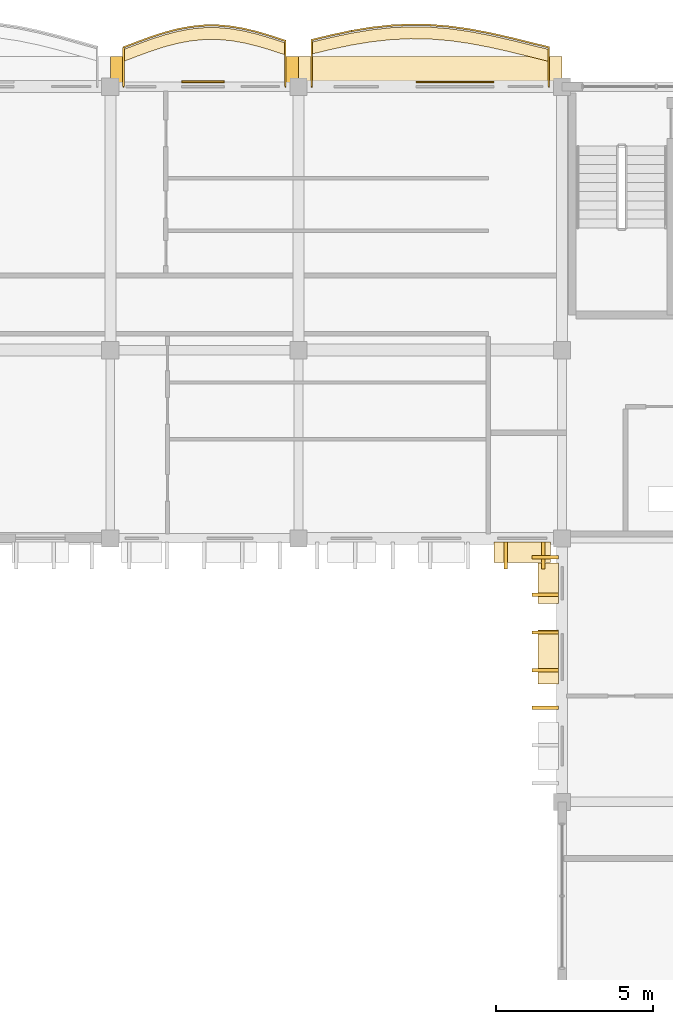
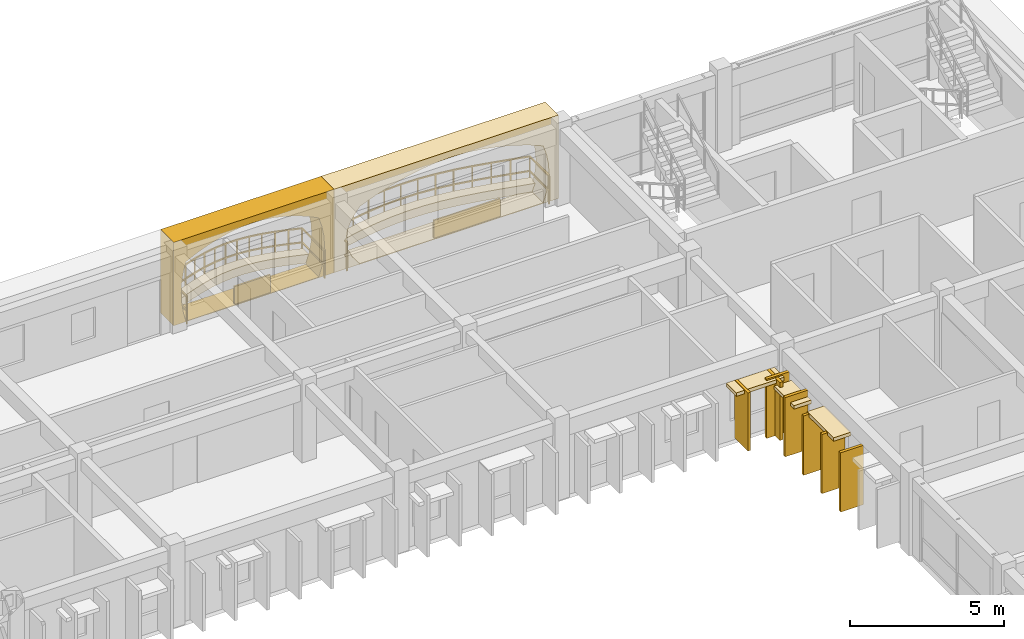
# One storey, part 53 of 54: 16 coverings, 2 railings.
"""IFC4 building model written with IfcOpenShell, lengths in metres."""

from ifc_helpers import new_model, si_unit, direction, frame, origin, origin_2d, place, context, subcontext, project, spatial, polyline, rectangle, outline, extrude, material, layer, layer_set, type_object, element, save


model = new_model("IFC4")

# Units and contexts
model_context = context("Model", 3, precision=1e-05, world=origin(), true_north=direction((0.0, 1.0)))
body_context = subcontext(model_context, "Body", "Model", "MODEL_VIEW")
ifc_project = project(units=[si_unit("LENGTHUNIT", "METRE"), si_unit("AREAUNIT", "SQUARE_METRE"), si_unit("VOLUMEUNIT", "CUBIC_METRE"), si_unit("PLANEANGLEUNIT", "RADIAN"), si_unit("MASSUNIT", "GRAM", prefix="KILO"), si_unit("THERMODYNAMICTEMPERATUREUNIT", "KELVIN")], contexts=[model_context])

# Site, building, storey
site_placement = place(None, origin())
site = spatial("IfcSite", under=ifc_project, at=site_placement, CompositionType="ELEMENT")
building_placement = place(site_placement, origin())
building = spatial("IfcBuilding", under=site, at=building_placement, Name="Thalorik Housing Commons", CompositionType="ELEMENT")
storey_placement = place(building_placement, frame((0.0, 0.0, 31.199951171875)))
storey = spatial("IfcBuildingStorey", under=building, at=storey_placement, Name="L09", CompositionType="ELEMENT", Elevation=31.199951171875)

# Coverings
ifc_material_1 = material(Name="Cobalt blue glazed ceramic facade tile panel", Category="masonry")
ifc_layer_1 = layer(ifc_material_1, 0.06005859375, Name="Cobalt blue glazed ceramic facade tile panel", Category="masonry")
ifc_layer_set_1 = layer_set([ifc_layer_1], Name="Cobalt blue glazed ceramic facade tile panel")
covering_type_1 = type_object("IfcCoveringType", Name="ARC-CLD-BLU-60", PredefinedType="CLADDING", material=ifc_layer_set_1)
covering_1_placement = place(storey_placement, frame((140.94970703125, 123.75244140625, 0.05029296875), z_axis=(0.0, 0.0, 1.0), x_axis=(-1.0, 0.0, 0.0)))
element("IfcCovering", 1, at=covering_1_placement, inside=storey, type_object=covering_type_1, Name="L09 De Stijl Recessed Window Spandrel 2895", PredefinedType="CLADDING", context=body_context, shape_type="SweptSolid", body=[
    extrude(rectangle(XDim=1.35009765625, YDim=0.06005859375, at=origin_2d()), origin(), (0.0, 0.0, 1.0), 0.699951171875),
])
ifc_material_2 = material(Name="Precast concrete C40/50", Category="concrete")
ifc_layer_2 = layer(ifc_material_2, 0.85009765625, Name="Precast concrete C40/50", Category="concrete")
ifc_layer_set_2 = layer_set([ifc_layer_2], Name="Precast concrete C40/50")
covering_type_2 = type_object("IfcCoveringType", Name="ARC-CLD-CUSH-850", PredefinedType="CLADDING", material=ifc_layer_set_2)
covering_2_placement = place(storey_placement, frame((148.199951171875, 124.142578125, 0.0), z_axis=(0.0, 0.0, 1.0), x_axis=(-1.0, 0.0, 0.0)))
element("IfcCovering", 2, at=covering_2_placement, inside=storey, type_object=covering_type_2, Name="L09 White Precast Curved Cushion Bay Frame 2892", PredefinedType="CLADDING", context=body_context, shape_type="SweptSolid", body=[
    extrude(outline(polyline([(-4.199951171875, 0.0), (4.199951171875, 0.0), (4.199951171875, 3.300048828125), (-4.199951171875, 3.300048828125), (-4.199951171875, 0.0)]), holes=[polyline([(3.239990234375, 0.02490234375), (3.523193359375, 0.40087890625), (3.693359375, 0.776611328125), (3.75, 1.152587890625), (3.693359375, 1.5283203125), (3.523193359375, 1.904296875), (3.239990234375, 2.280029296875), (2.66748046875, 2.51123046875), (2.094970703125, 2.693115234375), (1.5224609375, 2.840087890625), (0.949951171875, 2.94970703125), (0.37744140625, 3.01708984375), (-0.195068359375, 3.0400390625), (-0.767578125, 3.01708984375), (-1.340087890625, 2.94970703125), (-1.91259765625, 2.840087890625), (-2.485107421875, 2.693115234375), (-3.0576171875, 2.51123046875), (-3.6298828125, 2.280029296875), (-3.750244140625, 1.904296875), (-3.822509765625, 1.5283203125), (-3.8466796875, 1.152587890625), (-3.822509765625, 0.776611328125), (-3.750244140625, 0.40087890625), (-3.6298828125, 0.02490234375), (3.239990234375, 0.02490234375)])]), frame((0.0, 0.425048828125, 0.0), z_axis=(0.0, -1.0, 0.0), x_axis=(1.0, 0.0, 0.0)), (0.0, 0.0, 1.0), 0.85009765625),
])
covering_3_placement = place(storey_placement, frame((141.0, 124.142578125, 0.0), z_axis=(0.0, 0.0, 1.0), x_axis=(-1.0, 0.0, 0.0)))
element("IfcCovering", 3, at=covering_3_placement, inside=storey, type_object=covering_type_2, Name="L09 White Precast Curved Cushion Bay Frame 2894", PredefinedType="CLADDING", context=body_context, shape_type="SweptSolid", body=[
    extrude(outline(polyline([(-3.0, 0.0), (3.0, 0.0), (3.0, 3.300048828125), (-3.0, 3.300048828125), (-3.0, 0.0)]), holes=[polyline([(2.545166015625, 0.02490234375), (2.64111328125, 0.415771484375), (2.69873046875, 0.806640625), (2.718017578125, 1.197509765625), (2.69873046875, 1.58837890625), (2.64111328125, 1.979248046875), (2.545166015625, 2.3701171875), (2.130615234375, 2.573974609375), (1.716064453125, 2.734130859375), (1.301513671875, 2.864013671875), (0.88671875, 2.960205078125), (0.47216796875, 3.02001953125), (0.0576171875, 3.0400390625), (-0.35693359375, 3.02001953125), (-0.771484375, 2.960205078125), (-1.186279296875, 2.864013671875), (-1.600830078125, 2.734130859375), (-2.015380859375, 2.573974609375), (-2.429931640625, 2.3701171875), (-2.55029296875, 1.979248046875), (-2.62255859375, 1.58837890625), (-2.646484375, 1.197509765625), (-2.62255859375, 0.806640625), (-2.55029296875, 0.415771484375), (-2.429931640625, 0.02490234375), (2.545166015625, 0.02490234375)])]), frame((0.0, 0.425048828125, 0.0), z_axis=(0.0, -1.0, 0.0), x_axis=(1.0, 0.0, 0.0)), (0.0, 0.0, 1.0), 0.85009765625),
])
ifc_layer_3 = layer(ifc_material_2, 0.85009765625, Name="Precast concrete C40/50", Category="concrete")
ifc_layer_set_3 = layer_set([ifc_layer_3], Name="Precast concrete C40/50")
covering_type_3 = type_object("IfcCoveringType", Name="ARC-CLD-FIN-850", PredefinedType="CLADDING", material=ifc_layer_set_3)
for number, where, z_axis, x_axis, name in (
    (4, (150.60009765625, 108.657470703125, 0.0400390625), (0.0, 0.0, 1.0), (1.0, 0.0, 0.0), "L09 Courtyard Precast Vertical Brise-Soleil Fin 2991"),
    (5, (151.800048828125, 108.657470703125, 0.0400390625), (0.0, 0.0, 1.0), (1.0, 0.0, 0.0), "L09 Courtyard Precast Vertical Brise-Soleil Fin 2992"),
):
    element("IfcCovering", number, at=place(storey_placement, frame(where, z_axis=z_axis, x_axis=x_axis)), inside=storey, type_object=covering_type_3, Name=name, PredefinedType="CLADDING", context=body_context, shape_type="SweptSolid", body=[
        extrude(rectangle(XDim=0.110107421875, YDim=0.85009765625, at=origin_2d()), origin(), (0.0, 0.0, 1.0), 2.294921875),
    ])
for number, where, z_axis, x_axis, name in (
    (6, (151.857421875, 108.60009765625, 0.0400390625), (0.0, 0.0, 1.0), (0.0, -1.0, 0.0), "L09 Courtyard Precast Vertical Brise-Soleil Fin 2996"),
    (7, (151.857421875, 107.39990234375, 0.0400390625), (0.0, 0.0, 1.0), (0.0, -1.0, 0.0), "L09 Courtyard Precast Vertical Brise-Soleil Fin 2997"),
    (8, (151.857421875, 106.199951171875, 0.0400390625), (0.0, 0.0, 1.0), (0.0, -1.0, 0.0), "L09 Courtyard Precast Vertical Brise-Soleil Fin 2998"),
    (9, (151.857421875, 105.0, 0.0400390625), (0.0, 0.0, 1.0), (0.0, -1.0, 0.0), "L09 Courtyard Precast Vertical Brise-Soleil Fin 2999"),
    (10, (151.857421875, 103.800048828125, 0.0400390625), (0.0, 0.0, 1.0), (0.0, -1.0, 0.0), "L09 Courtyard Precast Vertical Brise-Soleil Fin 3000"),
):
    element("IfcCovering", number, at=place(storey_placement, frame(where, z_axis=z_axis, x_axis=x_axis)), inside=storey, type_object=covering_type_3, Name=name, PredefinedType="CLADDING", context=body_context, shape_type="SweptSolid", body=[
        extrude(rectangle(XDim=0.110107421875, YDim=0.85009765625, at=origin_2d()), origin(), (0.0, 0.0, 1.0), 2.344970703125),
    ])
ifc_layer_4 = layer(ifc_material_2, 0.64990234375, Name="Precast concrete C40/50", Category="concrete")
ifc_layer_set_4 = layer_set([ifc_layer_4], Name="Precast concrete C40/50")
covering_type_4 = type_object("IfcCoveringType", Name="ARC-CLD-HOOD-650", PredefinedType="CLADDING", material=ifc_layer_set_4)
covering_4_placement = place(storey_placement, frame((151.1298828125, 108.757568359375, 2.18994140625), z_axis=(0.0, 0.0, 1.0), x_axis=(1.0, 0.0, 0.0)))
element("IfcCovering", 11, at=covering_4_placement, inside=storey, type_object=covering_type_4, Name="L09 Courtyard Precast Window Sun-Hood 2995", PredefinedType="CLADDING", context=body_context, shape_type="SweptSolid", body=[
    extrude(rectangle(XDim=1.7900390625, YDim=0.64990234375, at=origin_2d()), origin(), (0.0, 0.0, 1.0), 0.139892578125),
])
covering_5_placement = place(storey_placement, frame((151.95751953125, 107.764892578125, 1.990234375), z_axis=(0.0, 0.0, 1.0), x_axis=(0.0, -1.0, 0.0)))
element("IfcCovering", 12, at=covering_5_placement, inside=storey, type_object=covering_type_4, Name="L09 Courtyard Precast Window Sun-Hood 3003", PredefinedType="CLADDING", context=body_context, shape_type="SweptSolid", body=[
    extrude(rectangle(XDim=1.2900390625, YDim=0.64990234375, at=origin_2d()), origin(), (0.0, 0.0, 1.0), 0.139892578125),
])
covering_6_placement = place(storey_placement, frame((151.95751953125, 105.4150390625, 2.27490234375), z_axis=(0.0, 0.0, 1.0), x_axis=(0.0, -1.0, 0.0)))
element("IfcCovering", 13, at=covering_6_placement, inside=storey, type_object=covering_type_4, Name="L09 Courtyard Precast Window Sun-Hood 3004", PredefinedType="CLADDING", context=body_context, shape_type="SweptSolid", body=[
    extrude(rectangle(XDim=1.719970703125, YDim=0.64990234375, at=origin_2d()), origin(), (0.0, 0.0, 1.0), 0.139892578125),
])
ifc_material_3 = material(Name="Terracotta red mineral fibre-cement panel", Category="masonry")
ifc_layer_5 = layer(ifc_material_3, 0.054931640625, Name="Terracotta red mineral fibre-cement panel", Category="masonry")
ifc_layer_set_5 = layer_set([ifc_layer_5], Name="Terracotta red mineral fibre-cement panel")
covering_type_5 = type_object("IfcCoveringType", Name="ARC-CLD-RED-55", PredefinedType="CLADDING", material=ifc_layer_set_5)
covering_7_placement = place(storey_placement, frame((148.985107421875, 123.75, 0.05029296875), z_axis=(0.0, 0.0, 1.0), x_axis=(-1.0, 0.0, 0.0)))
element("IfcCovering", 14, at=covering_7_placement, inside=storey, type_object=covering_type_5, Name="L09 De Stijl Recessed Window Spandrel 2893", PredefinedType="CLADDING", context=body_context, shape_type="SweptSolid", body=[
    extrude(rectangle(XDim=2.47998046875, YDim=0.054931640625, at=origin_2d()), origin(), (0.0, 0.0, 1.0), 0.699951171875),
])
ifc_material_4 = material(Name="Planted vegetated substrate and terracotta trough", Category="masonry")
ifc_layer_6 = layer(ifc_material_4, 0.340087890625, Name="Planted vegetated substrate and terracotta trough", Category="masonry")
ifc_layer_set_6 = layer_set([ifc_layer_6], Name="Planted vegetated substrate and terracotta trough")
covering_type_6 = type_object("IfcCoveringType", Name="ARC-COV-PLANTER", PredefinedType="USERDEFINED", material=ifc_layer_set_6)
covering_8_placement = place(storey_placement, origin())
element("IfcCovering", 15, at=covering_8_placement, inside=storey, type_object=covering_type_6, Name="L09 Balcony Slab-Edge Planted Trough 5534", ObjectType="PLANTER", PredefinedType="USERDEFINED", context=body_context, shape_type="SweptSolid", body=[
    extrude(outline(polyline([(143.580078125, 124.989501953125), (143.14990234375, 125.1318359375), (142.719970703125, 125.260986328125), (142.2900390625, 125.366943359375), (141.860107421875, 125.4423828125), (141.429931640625, 125.481201171875), (141.0, 125.480224609375), (140.570068359375, 125.4384765625), (140.139892578125, 125.358154296875), (139.7099609375, 125.244384765625), (139.280029296875, 125.10400390625), (138.85009765625, 124.946533203125), (138.419921875, 124.781982421875), (138.419921875, 124.402099609375), (138.85009765625, 124.56640625), (139.280029296875, 124.72412109375), (139.7099609375, 124.864501953125), (140.139892578125, 124.978271484375), (140.570068359375, 125.058349609375), (141.0, 125.10009765625), (141.429931640625, 125.101318359375), (141.860107421875, 125.0625), (142.2900390625, 124.987060546875), (142.719970703125, 124.880859375), (143.14990234375, 124.751953125), (143.580078125, 124.609619140625), (143.580078125, 124.989501953125)])), origin(), (0.0, 0.0, 1.0), 0.340087890625),
])
covering_9_placement = place(storey_placement, origin())
element("IfcCovering", 16, at=covering_9_placement, inside=storey, type_object=covering_type_6, Name="L09 Balcony Slab-Edge Planted Trough 5535", ObjectType="PLANTER", PredefinedType="USERDEFINED", context=body_context, shape_type="SweptSolid", body=[
    extrude(outline(polyline([(151.97998046875, 124.78271484375), (151.35009765625, 124.938720703125), (150.719970703125, 125.0927734375), (150.090087890625, 125.234619140625), (149.4599609375, 125.35400390625), (148.830078125, 125.443115234375), (148.199951171875, 125.49560546875), (147.570068359375, 125.507080078125), (146.93994140625, 125.477294921875), (146.31005859375, 125.40771484375), (145.679931640625, 125.302978515625), (145.050048828125, 125.170166015625), (144.419921875, 125.017822265625), (144.419921875, 124.6376953125), (145.050048828125, 124.7900390625), (145.679931640625, 124.923095703125), (146.31005859375, 125.02783203125), (146.93994140625, 125.097412109375), (147.570068359375, 125.127197265625), (148.199951171875, 125.115478515625), (148.830078125, 125.063232421875), (149.4599609375, 124.97412109375), (150.090087890625, 124.8544921875), (150.719970703125, 124.712890625), (151.35009765625, 124.55859375), (151.97998046875, 124.402587890625), (151.97998046875, 124.78271484375)])), origin(), (0.0, 0.0, 1.0), 0.340087890625),
])

# Railings
ifc_material_5 = material(Name="Steel S355", Category="steel")
railing_type_1 = type_object("IfcRailingType", Name="ARC-RL-BAL-112", PredefinedType="BALUSTRADE", material=ifc_material_5)
railing_1_placement = place(storey_placement, frame((143.580078125, 123.60009765625, 0.0)))
element("IfcRailing", 17, at=railing_1_placement, inside=storey, type_object=railing_type_1, Name="L09 Cushion Balcony Guardrail 218", PredefinedType="BALUSTRADE", context=body_context, shape_type="SweptSolid", body=[
    extrude(rectangle(XDim=0.050048828125, YDim=0.050048828125, at=origin_2d()), frame((0.0, 0.0, 1.09521484375), z_axis=(0.0, 1.0, 0.0), x_axis=(-1.0, 0.0, 0.0)), (0.0, 0.0, 1.0), 1.45947265625),
    extrude(rectangle(XDim=0.050048828125, YDim=0.050048828125, at=origin_2d()), frame((0.0, 0.0, 0.53515625), z_axis=(0.0, 1.0, 0.0), x_axis=(-1.0, 0.0, 0.0)), (0.0, 0.0, 1.0), 1.45947265625),
    extrude(rectangle(XDim=0.050048828125, YDim=0.050048828125, at=origin_2d()), frame((0.0, 1.45947265625, 1.09521484375), z_axis=(-0.949381422447, 0.314125635236, 0.0), x_axis=(-0.314125635236, -0.949381422447, 0.0)), (0.0, 0.0, 1.0), 0.453125),
    extrude(rectangle(XDim=0.050048828125, YDim=0.050048828125, at=origin_2d()), frame((0.0, 1.45947265625, 0.53515625), z_axis=(-0.949381422447, 0.314125635236, 0.0), x_axis=(-0.314125635236, -0.949381422447, 0.0)), (0.0, 0.0, 1.0), 0.453125),
    extrude(rectangle(XDim=0.050048828125, YDim=0.050048828125, at=origin_2d()), frame((-0.43017578125, 1.601806640625, 1.09521484375), z_axis=(-0.957871185663, 0.287198174918, 0.0), x_axis=(-0.287198174918, -0.957871185663, 0.0)), (0.0, 0.0, 1.0), 0.44873046875),
    extrude(rectangle(XDim=0.050048828125, YDim=0.050048828125, at=origin_2d()), frame((-0.43017578125, 1.601806640625, 0.53515625), z_axis=(-0.957871185663, 0.287198174918, 0.0), x_axis=(-0.287198174918, -0.957871185663, 0.0)), (0.0, 0.0, 1.0), 0.44873046875),
    extrude(rectangle(XDim=0.050048828125, YDim=0.050048828125, at=origin_2d()), frame((-0.860107421875, 1.730712890625, 1.09521484375), z_axis=(-0.970819679707, 0.23981065342, 0.0), x_axis=(-0.23981065342, -0.970819679707, 0.0)), (0.0, 0.0, 1.0), 0.44287109375),
    extrude(rectangle(XDim=0.050048828125, YDim=0.050048828125, at=origin_2d()), frame((-0.860107421875, 1.730712890625, 0.53515625), z_axis=(-0.970819679707, 0.23981065342, 0.0), x_axis=(-0.23981065342, -0.970819679707, 0.0)), (0.0, 0.0, 1.0), 0.44287109375),
    extrude(rectangle(XDim=0.050048828125, YDim=0.050048828125, at=origin_2d()), frame((-1.2900390625, 1.8369140625, 1.09521484375), z_axis=(-0.984952013954, 0.17282803652, 0.0), x_axis=(-0.17282803652, -0.984952013954, 0.0)), (0.0, 0.0, 1.0), 0.4365234375),
    extrude(rectangle(XDim=0.050048828125, YDim=0.050048828125, at=origin_2d()), frame((-1.2900390625, 1.8369140625, 0.53515625), z_axis=(-0.984952013954, 0.17282803652, 0.0), x_axis=(-0.17282803652, -0.984952013954, 0.0)), (0.0, 0.0, 1.0), 0.4365234375),
    extrude(rectangle(XDim=0.050048828125, YDim=0.050048828125, at=origin_2d()), frame((-1.719970703125, 1.912353515625, 1.09521484375), z_axis=(-0.995953216598, 0.089873190374, 0.0), x_axis=(-0.089873190374, -0.995953216598, 0.0)), (0.0, 0.0, 1.0), 0.431884765625),
    extrude(rectangle(XDim=0.050048828125, YDim=0.050048828125, at=origin_2d()), frame((-1.719970703125, 1.912353515625, 0.53515625), z_axis=(-0.995953216598, 0.089873190374, 0.0), x_axis=(-0.089873190374, -0.995953216598, 0.0)), (0.0, 0.0, 1.0), 0.431884765625),
    extrude(rectangle(XDim=0.050048828125, YDim=0.050048828125, at=origin_2d()), frame((-2.150146484375, 1.951171875, 1.09521484375), z_axis=(-0.999997420298, -0.002271430824, 0.0), x_axis=(0.002271430824, -0.999997420298, 0.0)), (0.0, 0.0, 1.0), 0.429931640625),
    extrude(rectangle(XDim=0.050048828125, YDim=0.050048828125, at=origin_2d()), frame((-2.150146484375, 1.951171875, 0.53515625), z_axis=(-0.999997420298, -0.002271430824, 0.0), x_axis=(0.002271430824, -0.999997420298, 0.0)), (0.0, 0.0, 1.0), 0.429931640625),
    extrude(rectangle(XDim=0.050048828125, YDim=0.050048828125, at=origin_2d()), frame((-2.580078125, 1.9501953125, 1.09521484375), z_axis=(-0.995263970634, -0.097209200993, 0.0), x_axis=(0.097209200993, -0.995263970634, 0.0)), (0.0, 0.0, 1.0), 0.431884765625),
    extrude(rectangle(XDim=0.050048828125, YDim=0.050048828125, at=origin_2d()), frame((-2.580078125, 1.9501953125, 0.53515625), z_axis=(-0.995263970634, -0.097209200993, 0.0), x_axis=(0.097209200993, -0.995263970634, 0.0)), (0.0, 0.0, 1.0), 0.431884765625),
    extrude(rectangle(XDim=0.050048828125, YDim=0.050048828125, at=origin_2d()), frame((-3.010009765625, 1.908203125, 1.09521484375), z_axis=(-0.98311137791, -0.18300824742, 0.0), x_axis=(0.18300824742, -0.98311137791, 0.0)), (0.0, 0.0, 1.0), 0.4375),
    extrude(rectangle(XDim=0.050048828125, YDim=0.050048828125, at=origin_2d()), frame((-3.010009765625, 1.908203125, 0.53515625), z_axis=(-0.98311137791, -0.18300824742, 0.0), x_axis=(0.18300824742, -0.98311137791, 0.0)), (0.0, 0.0, 1.0), 0.4375),
    extrude(rectangle(XDim=0.050048828125, YDim=0.050048828125, at=origin_2d()), frame((-3.440185546875, 1.828125, 1.09521484375), z_axis=(-0.966725195305, -0.25581711585, 0.0), x_axis=(0.25581711585, -0.966725195305, 0.0)), (0.0, 0.0, 1.0), 0.44482421875),
    extrude(rectangle(XDim=0.050048828125, YDim=0.050048828125, at=origin_2d()), frame((-3.440185546875, 1.828125, 0.53515625), z_axis=(-0.966725195305, -0.25581711585, 0.0), x_axis=(0.25581711585, -0.966725195305, 0.0)), (0.0, 0.0, 1.0), 0.44482421875),
    extrude(rectangle(XDim=0.050048828125, YDim=0.050048828125, at=origin_2d()), frame((-3.8701171875, 1.71435546875, 1.09521484375), z_axis=(-0.950608707094, -0.310391826564, 0.0), x_axis=(0.310391826564, -0.950608707094, 0.0)), (0.0, 0.0, 1.0), 0.4521484375),
    extrude(rectangle(XDim=0.050048828125, YDim=0.050048828125, at=origin_2d()), frame((-3.8701171875, 1.71435546875, 0.53515625), z_axis=(-0.950608707094, -0.310391826564, 0.0), x_axis=(0.310391826564, -0.950608707094, 0.0)), (0.0, 0.0, 1.0), 0.4521484375),
    extrude(rectangle(XDim=0.050048828125, YDim=0.050048828125, at=origin_2d()), frame((-4.300048828125, 1.573974609375, 1.09521484375), z_axis=(-0.938996898156, -0.343925610057, 0.0), x_axis=(0.343925610057, -0.938996898156, 0.0)), (0.0, 0.0, 1.0), 0.457763671875),
    extrude(rectangle(XDim=0.050048828125, YDim=0.050048828125, at=origin_2d()), frame((-4.300048828125, 1.573974609375, 0.53515625), z_axis=(-0.938996898156, -0.343925610057, 0.0), x_axis=(0.343925610057, -0.938996898156, 0.0)), (0.0, 0.0, 1.0), 0.457763671875),
    extrude(rectangle(XDim=0.050048828125, YDim=0.050048828125, at=origin_2d()), frame((-4.72998046875, 1.41650390625, 1.09521484375), z_axis=(-0.933999817162, -0.357273482842, 0.0), x_axis=(0.357273482842, -0.933999817162, 0.0)), (0.0, 0.0, 1.0), 0.460693359375),
    extrude(rectangle(XDim=0.050048828125, YDim=0.050048828125, at=origin_2d()), frame((-4.72998046875, 1.41650390625, 0.53515625), z_axis=(-0.933999817162, -0.357273482842, 0.0), x_axis=(0.357273482842, -0.933999817162, 0.0)), (0.0, 0.0, 1.0), 0.460693359375),
    extrude(rectangle(XDim=0.050048828125, YDim=0.050048828125, at=origin_2d()), frame((-5.16015625, 1.251953125, 1.09521484375), z_axis=(0.0, -1.0, 0.0), x_axis=(1.0, 0.0, 0.0)), (0.0, 0.0, 1.0), 1.251953125),
    extrude(rectangle(XDim=0.050048828125, YDim=0.050048828125, at=origin_2d()), frame((-5.16015625, 1.251953125, 0.53515625), z_axis=(0.0, -1.0, 0.0), x_axis=(1.0, 0.0, 0.0)), (0.0, 0.0, 1.0), 1.251953125),
    extrude(rectangle(XDim=0.0419921875, YDim=0.0419921875, at=origin_2d()), origin(), (0.0, 0.0, 1.0), 1.070068359375),
    extrude(rectangle(XDim=0.0419921875, YDim=0.0419921875, at=origin_2d()), frame((0.0, 1.45947265625, 0.0)), (0.0, 0.0, 1.0), 1.070068359375),
    extrude(rectangle(XDim=0.0419921875, YDim=0.0419921875, at=origin_2d()), frame((-0.43017578125, 1.601806640625, 0.0)), (0.0, 0.0, 1.0), 1.070068359375),
    extrude(rectangle(XDim=0.0419921875, YDim=0.0419921875, at=origin_2d()), frame((-0.860107421875, 1.730712890625, 0.0)), (0.0, 0.0, 1.0), 1.070068359375),
    extrude(rectangle(XDim=0.0419921875, YDim=0.0419921875, at=origin_2d()), frame((-1.2900390625, 1.8369140625, 0.0)), (0.0, 0.0, 1.0), 1.070068359375),
    extrude(rectangle(XDim=0.0419921875, YDim=0.0419921875, at=origin_2d()), frame((-1.719970703125, 1.912353515625, 0.0)), (0.0, 0.0, 1.0), 1.070068359375),
    extrude(rectangle(XDim=0.0419921875, YDim=0.0419921875, at=origin_2d()), frame((-2.150146484375, 1.951171875, 0.0)), (0.0, 0.0, 1.0), 1.070068359375),
    extrude(rectangle(XDim=0.0419921875, YDim=0.0419921875, at=origin_2d()), frame((-2.580078125, 1.9501953125, 0.0)), (0.0, 0.0, 1.0), 1.070068359375),
    extrude(rectangle(XDim=0.0419921875, YDim=0.0419921875, at=origin_2d()), frame((-3.010009765625, 1.908203125, 0.0)), (0.0, 0.0, 1.0), 1.070068359375),
    extrude(rectangle(XDim=0.0419921875, YDim=0.0419921875, at=origin_2d()), frame((-3.440185546875, 1.828125, 0.0)), (0.0, 0.0, 1.0), 1.070068359375),
    extrude(rectangle(XDim=0.0419921875, YDim=0.0419921875, at=origin_2d()), frame((-3.8701171875, 1.71435546875, 0.0)), (0.0, 0.0, 1.0), 1.070068359375),
    extrude(rectangle(XDim=0.0419921875, YDim=0.0419921875, at=origin_2d()), frame((-4.300048828125, 1.573974609375, 0.0)), (0.0, 0.0, 1.0), 1.070068359375),
    extrude(rectangle(XDim=0.0419921875, YDim=0.0419921875, at=origin_2d()), frame((-4.72998046875, 1.41650390625, 0.0)), (0.0, 0.0, 1.0), 1.070068359375),
    extrude(rectangle(XDim=0.0419921875, YDim=0.0419921875, at=origin_2d()), frame((-5.16015625, 1.251953125, 0.0)), (0.0, 0.0, 1.0), 1.070068359375),
    extrude(rectangle(XDim=0.0419921875, YDim=0.0419921875, at=origin_2d()), frame((-5.16015625, 0.0, 0.0)), (0.0, 0.0, 1.0), 1.070068359375),
])
railing_type_2 = type_object("IfcRailingType", Name="ARC-RL-BAL-115", PredefinedType="BALUSTRADE", material=ifc_material_5)
railing_2_placement = place(storey_placement, frame((151.97998046875, 123.60009765625, 0.0)))
element("IfcRailing", 18, at=railing_2_placement, inside=storey, type_object=railing_type_2, Name="L09 Cushion Balcony Guardrail 219", PredefinedType="BALUSTRADE", context=body_context, shape_type="SweptSolid", body=[
    extrude(rectangle(XDim=0.050048828125, YDim=0.050048828125, at=origin_2d()), frame((0.0, 0.0, 1.125), z_axis=(0.0, 1.0, 0.0), x_axis=(-1.0, 0.0, 0.0)), (0.0, 0.0, 1.0), 1.25244140625),
    extrude(rectangle(XDim=0.050048828125, YDim=0.050048828125, at=origin_2d()), frame((0.0, 0.0, 0.5498046875), z_axis=(0.0, 1.0, 0.0), x_axis=(-1.0, 0.0, 0.0)), (0.0, 0.0, 1.0), 1.25244140625),
    extrude(rectangle(XDim=0.050048828125, YDim=0.050048828125, at=origin_2d()), frame((0.0, 1.25244140625, 1.125), z_axis=(-0.970583467402, 0.240764891139, 0.0), x_axis=(-0.240764891139, -0.970583467402, 0.0)), (0.0, 0.0, 1.0), 0.64892578125),
    extrude(rectangle(XDim=0.050048828125, YDim=0.050048828125, at=origin_2d()), frame((0.0, 1.25244140625, 0.5498046875), z_axis=(-0.970583467402, 0.240764891139, 0.0), x_axis=(-0.240764891139, -0.970583467402, 0.0)), (0.0, 0.0, 1.0), 0.64892578125),
    extrude(rectangle(XDim=0.050048828125, YDim=0.050048828125, at=origin_2d()), frame((-0.6298828125, 1.40869140625, 1.125), z_axis=(-0.971391289327, 0.237484658491, 0.0), x_axis=(-0.237484658491, -0.971391289328, 0.0)), (0.0, 0.0, 1.0), 0.648681640625),
    extrude(rectangle(XDim=0.050048828125, YDim=0.050048828125, at=origin_2d()), frame((-0.6298828125, 1.40869140625, 0.5498046875), z_axis=(-0.971391289327, 0.237484658491, 0.0), x_axis=(-0.237484658491, -0.971391289328, 0.0)), (0.0, 0.0, 1.0), 0.648681640625),
    extrude(rectangle(XDim=0.050048828125, YDim=0.050048828125, at=origin_2d()), frame((-1.260009765625, 1.562744140625, 1.125), z_axis=(-0.975569249929, 0.219692145042, 0.0), x_axis=(-0.219692145042, -0.975569249929, 0.0)), (0.0, 0.0, 1.0), 0.645751953125),
    extrude(rectangle(XDim=0.050048828125, YDim=0.050048828125, at=origin_2d()), frame((-1.260009765625, 1.562744140625, 0.5498046875), z_axis=(-0.975569249929, 0.219692145042, 0.0), x_axis=(-0.219692145042, -0.975569249929, 0.0)), (0.0, 0.0, 1.0), 0.645751953125),
    extrude(rectangle(XDim=0.050048828125, YDim=0.050048828125, at=origin_2d()), frame((-1.889892578125, 1.70458984375, 1.125), z_axis=(-0.982521352242, 0.186149919119, 0.0), x_axis=(-0.186149919119, -0.982521352242, 0.0)), (0.0, 0.0, 1.0), 0.641357421875),
    extrude(rectangle(XDim=0.050048828125, YDim=0.050048828125, at=origin_2d()), frame((-1.889892578125, 1.70458984375, 0.5498046875), z_axis=(-0.982521352242, 0.186149919119, 0.0), x_axis=(-0.186149919119, -0.982521352242, 0.0)), (0.0, 0.0, 1.0), 0.641357421875),
    extrude(rectangle(XDim=0.050048828125, YDim=0.050048828125, at=origin_2d()), frame((-2.52001953125, 1.823974609375, 1.125), z_axis=(-0.990140470078, 0.14007801224, 0.0), x_axis=(-0.14007801224, -0.990140470078, 0.0)), (0.0, 0.0, 1.0), 0.63623046875),
    extrude(rectangle(XDim=0.050048828125, YDim=0.050048828125, at=origin_2d()), frame((-2.52001953125, 1.823974609375, 0.5498046875), z_axis=(-0.990140470078, 0.14007801224, 0.0), x_axis=(-0.14007801224, -0.990140470078, 0.0)), (0.0, 0.0, 1.0), 0.63623046875),
    extrude(rectangle(XDim=0.050048828125, YDim=0.050048828125, at=origin_2d()), frame((-3.14990234375, 1.9130859375, 1.125), z_axis=(-0.996580289475, 0.082630058872, 0.0), x_axis=(-0.082630058872, -0.996580289475, 0.0)), (0.0, 0.0, 1.0), 0.63232421875),
    extrude(rectangle(XDim=0.050048828125, YDim=0.050048828125, at=origin_2d()), frame((-3.14990234375, 1.9130859375, 0.5498046875), z_axis=(-0.996580289475, 0.082630058872, 0.0), x_axis=(-0.082630058872, -0.996580289475, 0.0)), (0.0, 0.0, 1.0), 0.63232421875),
    extrude(rectangle(XDim=0.050048828125, YDim=0.050048828125, at=origin_2d()), frame((-3.780029296875, 1.96533203125, 1.125), z_axis=(-0.999826978393, 0.018601432156, 0.0), x_axis=(-0.018601432156, -0.999826978393, 0.0)), (0.0, 0.0, 1.0), 0.6298828125),
    extrude(rectangle(XDim=0.050048828125, YDim=0.050048828125, at=origin_2d()), frame((-3.780029296875, 1.96533203125, 0.5498046875), z_axis=(-0.999826978393, 0.018601432156, 0.0), x_axis=(-0.018601432156, -0.999826978393, 0.0)), (0.0, 0.0, 1.0), 0.6298828125),
    extrude(rectangle(XDim=0.050048828125, YDim=0.050048828125, at=origin_2d()), frame((-4.409912109375, 1.97705078125, 1.125), z_axis=(-0.998884713002, -0.047215782637, 0.0), x_axis=(0.047215782637, -0.998884713002, 0.0)), (0.0, 0.0, 1.0), 0.630859375),
    extrude(rectangle(XDim=0.050048828125, YDim=0.050048828125, at=origin_2d()), frame((-4.409912109375, 1.97705078125, 0.5498046875), z_axis=(-0.998884713002, -0.047215782637, 0.0), x_axis=(0.047215782637, -0.998884713002, 0.0)), (0.0, 0.0, 1.0), 0.630859375),
    extrude(rectangle(XDim=0.050048828125, YDim=0.050048828125, at=origin_2d()), frame((-5.0400390625, 1.947265625, 1.125), z_axis=(-0.993954005493, -0.109797244793, 0.0), x_axis=(0.109797244793, -0.993954005493, 0.0)), (0.0, 0.0, 1.0), 0.6337890625),
    extrude(rectangle(XDim=0.050048828125, YDim=0.050048828125, at=origin_2d()), frame((-5.0400390625, 1.947265625, 0.5498046875), z_axis=(-0.993954005493, -0.109797244793, 0.0), x_axis=(0.109797244793, -0.993954005493, 0.0)), (0.0, 0.0, 1.0), 0.6337890625),
    extrude(rectangle(XDim=0.050048828125, YDim=0.050048828125, at=origin_2d()), frame((-5.669921875, 1.877685546875, 1.125), z_axis=(-0.98646613711, -0.163965119264, 0.0), x_axis=(0.163965119264, -0.98646613711, 0.0)), (0.0, 0.0, 1.0), 0.638671875),
    extrude(rectangle(XDim=0.050048828125, YDim=0.050048828125, at=origin_2d()), frame((-5.669921875, 1.877685546875, 0.5498046875), z_axis=(-0.98646613711, -0.163965119264, 0.0), x_axis=(0.163965119264, -0.98646613711, 0.0)), (0.0, 0.0, 1.0), 0.638671875),
    extrude(rectangle(XDim=0.050048828125, YDim=0.050048828125, at=origin_2d()), frame((-6.300048828125, 1.77294921875, 1.125), z_axis=(-0.978408728904, -0.206679363276, 0.0), x_axis=(0.206679363276, -0.978408728904, 0.0)), (0.0, 0.0, 1.0), 0.643798828125),
    extrude(rectangle(XDim=0.050048828125, YDim=0.050048828125, at=origin_2d()), frame((-6.300048828125, 1.77294921875, 0.5498046875), z_axis=(-0.978408728904, -0.206679363276, 0.0), x_axis=(0.206679363276, -0.978408728904, 0.0)), (0.0, 0.0, 1.0), 0.643798828125),
    extrude(rectangle(XDim=0.050048828125, YDim=0.050048828125, at=origin_2d()), frame((-6.929931640625, 1.639892578125, 1.125), z_axis=(-0.972082208573, -0.234640533104, 0.0), x_axis=(0.234640533104, -0.972082208573, 0.0)), (0.0, 0.0, 1.0), 0.648193359375),
    extrude(rectangle(XDim=0.050048828125, YDim=0.050048828125, at=origin_2d()), frame((-6.929931640625, 1.639892578125, 0.5498046875), z_axis=(-0.972082208573, -0.234640533104, 0.0), x_axis=(0.234640533104, -0.972082208573, 0.0)), (0.0, 0.0, 1.0), 0.648193359375),
    extrude(rectangle(XDim=0.050048828125, YDim=0.050048828125, at=origin_2d()), frame((-7.56005859375, 1.48779296875, 1.125), z_axis=(0.0, -1.0, 0.0), x_axis=(1.0, 0.0, 0.0)), (0.0, 0.0, 1.0), 1.48779296875),
    extrude(rectangle(XDim=0.050048828125, YDim=0.050048828125, at=origin_2d()), frame((-7.56005859375, 1.48779296875, 0.5498046875), z_axis=(0.0, -1.0, 0.0), x_axis=(1.0, 0.0, 0.0)), (0.0, 0.0, 1.0), 1.48779296875),
    extrude(rectangle(XDim=0.0419921875, YDim=0.0419921875, at=origin_2d()), origin(), (0.0, 0.0, 1.0), 1.099853515625),
    extrude(rectangle(XDim=0.0419921875, YDim=0.0419921875, at=origin_2d()), frame((0.0, 1.25244140625, 0.0)), (0.0, 0.0, 1.0), 1.099853515625),
    extrude(rectangle(XDim=0.0419921875, YDim=0.0419921875, at=origin_2d()), frame((-0.6298828125, 1.40869140625, 0.0)), (0.0, 0.0, 1.0), 1.099853515625),
    extrude(rectangle(XDim=0.0419921875, YDim=0.0419921875, at=origin_2d()), frame((-1.260009765625, 1.562744140625, 0.0)), (0.0, 0.0, 1.0), 1.099853515625),
    extrude(rectangle(XDim=0.0419921875, YDim=0.0419921875, at=origin_2d()), frame((-1.889892578125, 1.70458984375, 0.0)), (0.0, 0.0, 1.0), 1.099853515625),
    extrude(rectangle(XDim=0.0419921875, YDim=0.0419921875, at=origin_2d()), frame((-2.52001953125, 1.823974609375, 0.0)), (0.0, 0.0, 1.0), 1.099853515625),
    extrude(rectangle(XDim=0.0419921875, YDim=0.0419921875, at=origin_2d()), frame((-3.14990234375, 1.9130859375, 0.0)), (0.0, 0.0, 1.0), 1.099853515625),
    extrude(rectangle(XDim=0.0419921875, YDim=0.0419921875, at=origin_2d()), frame((-3.780029296875, 1.96533203125, 0.0)), (0.0, 0.0, 1.0), 1.099853515625),
    extrude(rectangle(XDim=0.0419921875, YDim=0.0419921875, at=origin_2d()), frame((-4.409912109375, 1.97705078125, 0.0)), (0.0, 0.0, 1.0), 1.099853515625),
    extrude(rectangle(XDim=0.0419921875, YDim=0.0419921875, at=origin_2d()), frame((-5.0400390625, 1.947265625, 0.0)), (0.0, 0.0, 1.0), 1.099853515625),
    extrude(rectangle(XDim=0.0419921875, YDim=0.0419921875, at=origin_2d()), frame((-5.669921875, 1.877685546875, 0.0)), (0.0, 0.0, 1.0), 1.099853515625),
    extrude(rectangle(XDim=0.0419921875, YDim=0.0419921875, at=origin_2d()), frame((-6.300048828125, 1.77294921875, 0.0)), (0.0, 0.0, 1.0), 1.099853515625),
    extrude(rectangle(XDim=0.0419921875, YDim=0.0419921875, at=origin_2d()), frame((-6.929931640625, 1.639892578125, 0.0)), (0.0, 0.0, 1.0), 1.099853515625),
    extrude(rectangle(XDim=0.0419921875, YDim=0.0419921875, at=origin_2d()), frame((-7.56005859375, 1.48779296875, 0.0)), (0.0, 0.0, 1.0), 1.099853515625),
    extrude(rectangle(XDim=0.0419921875, YDim=0.0419921875, at=origin_2d()), frame((-7.56005859375, 0.0, 0.0)), (0.0, 0.0, 1.0), 1.099853515625),
])

save(model, "model.ifc")
